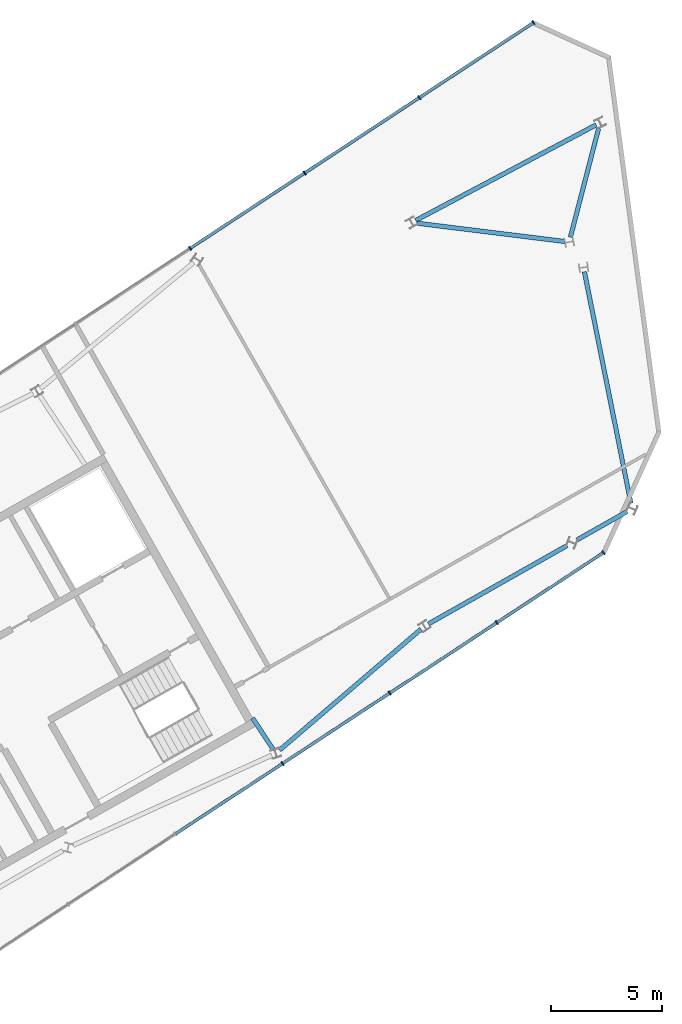
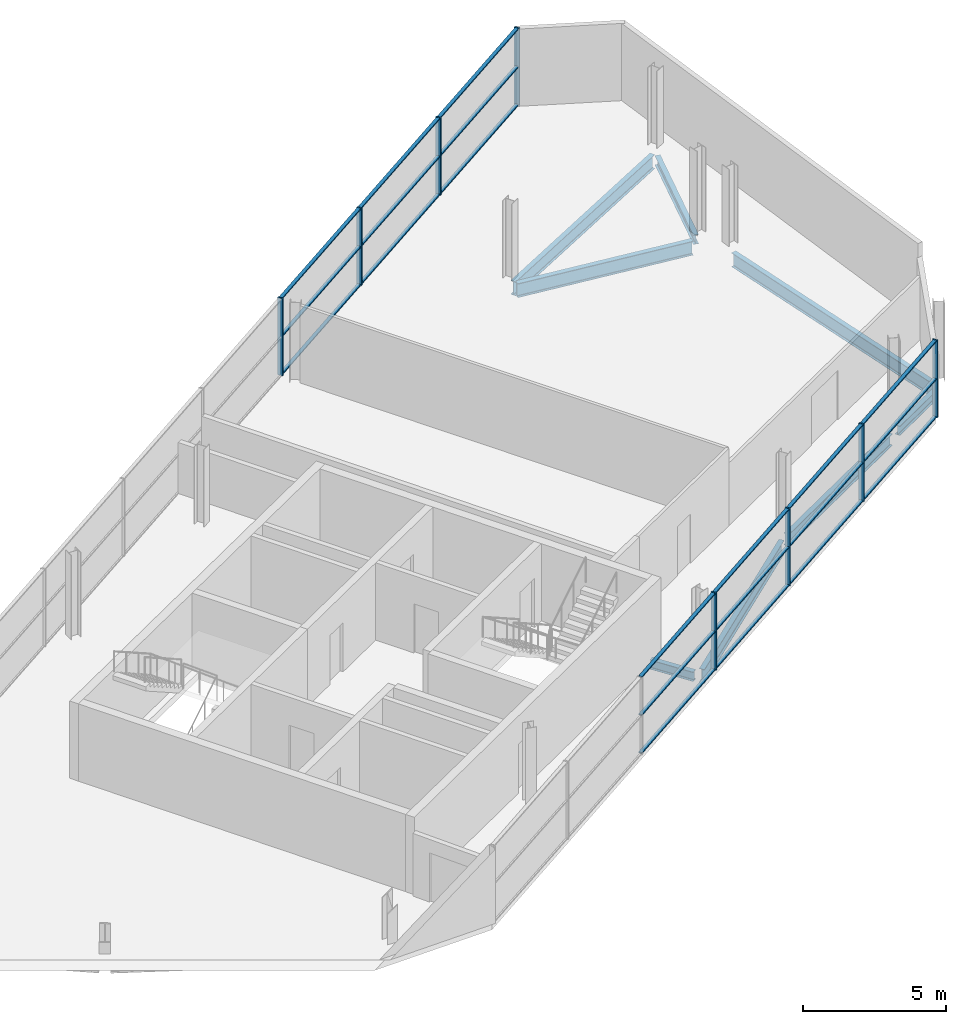
# One storey, part 5 of 8: 29 members, 8 beams, 2 elements without a shape of their own.
"""IFC4 building model written with IfcOpenShell, lengths in metres."""

from ifc_helpers import new_model, si_unit, direction, frame, origin, origin_2d, place, context, subcontext, project, spatial, rectangle, i_section, extrude, material, material_profile, profile_set, type_object, element, aggregate, save


model = new_model("IFC4")

# Units and contexts
model_context = context("Model", 3, precision=1e-05, world=origin(), true_north=direction((0.0, 1.0)))
body_context = subcontext(model_context, "Body", "Model", "MODEL_VIEW")
ifc_project = project(units=[si_unit("LENGTHUNIT", "METRE"), si_unit("AREAUNIT", "SQUARE_METRE"), si_unit("VOLUMEUNIT", "CUBIC_METRE"), si_unit("PLANEANGLEUNIT", "RADIAN"), si_unit("MASSUNIT", "GRAM", prefix="KILO")], contexts=[model_context])

# Site, building, storey
site_placement = place(None, origin())
site = spatial("IfcSite", under=ifc_project, at=site_placement, CompositionType="ELEMENT")
building_placement = place(site_placement, origin())
building = spatial("IfcBuilding", under=site, at=building_placement, Name="Binnacle Exchange Tower", CompositionType="ELEMENT")
storey_placement = place(building_placement, frame((0.0, 0.0, 357.699951171875)))
storey = spatial("IfcBuildingStorey", under=building, at=storey_placement, Name="L82", CompositionType="ELEMENT", Elevation=357.699951171875)

# Curtain wall, members
ifc_material_1 = material(Name="Bronze anodised aluminium frame", Category="aluminium")
curtain_wall_type = type_object("IfcCurtainWallType", Name="External wall - curtain wall crown tiers", PredefinedType="NOTDEFINED", material=ifc_material_1)
curtain_wall_1_placement = place(storey_placement, origin())
curtain_wall_1 = element("IfcCurtainWall", 1, at=curtain_wall_1_placement, inside=storey, type_object=curtain_wall_type, Name="External wall curtain wall CW5-C203 L82", PredefinedType="NOTDEFINED")
ifc_material_profile_1 = material_profile(ifc_material_1, rectangle(XDim=0.199951171875, YDim=0.06005859375, at=origin_2d()), Name="AL 60x200")
ifc_profile_set_1 = profile_set([ifc_material_profile_1], Name="Bronze anodised aluminium frame")
member_type_1 = type_object("IfcMemberType", Name="CW5 MULLION 60x200", PredefinedType="MULLION", material=ifc_profile_set_1)
member_1_placement = place(storey_placement, frame((-12.48828125, 69.443603515625, 0.0), z_axis=(0.0, 0.0, 1.0), x_axis=(0.549310297171, -0.835618452059, 0.0)))
member_1 = element("IfcMember", 2, at=member_1_placement, type_object=member_type_1, Name="CW5-C203 mullion 1", PredefinedType="MULLION", context=body_context, shape_type="SweptSolid", body=[
    extrude(rectangle(XDim=0.199951171875, YDim=0.06005859375, at=origin_2d()), origin(), (0.0, 0.0, 1.0), 3.300048828125),
])
member_2_placement = place(storey_placement, frame((-17.614501953125, 66.07373046875, 0.0), z_axis=(0.0, 0.0, 1.0), x_axis=(0.549310297171, -0.835618452059, 0.0)))
member_2 = element("IfcMember", 3, at=member_2_placement, type_object=member_type_1, Name="CW5-C203 mullion 2", PredefinedType="MULLION", context=body_context, shape_type="SweptSolid", body=[
    extrude(rectangle(XDim=0.199951171875, YDim=0.06005859375, at=origin_2d()), origin(), (0.0, 0.0, 1.0), 3.300048828125),
])
member_3_placement = place(storey_placement, frame((-22.765625, 62.6875, 0.0), z_axis=(0.0, 0.0, 1.0), x_axis=(0.549310297171, -0.835618452059, 0.0)))
member_3 = element("IfcMember", 4, at=member_3_placement, type_object=member_type_1, Name="CW5-C203 mullion 3", PredefinedType="MULLION", context=body_context, shape_type="SweptSolid", body=[
    extrude(rectangle(XDim=0.199951171875, YDim=0.06005859375, at=origin_2d()), origin(), (0.0, 0.0, 1.0), 3.300048828125),
])
member_4_placement = place(storey_placement, frame((-27.9169921875, 59.30126953125, 0.0), z_axis=(0.0, 0.0, 1.0), x_axis=(0.549310297171, -0.835618452059, 0.0)))
member_4 = element("IfcMember", 5, at=member_4_placement, type_object=member_type_1, Name="CW5-C203 mullion 4", PredefinedType="MULLION", context=body_context, shape_type="SweptSolid", body=[
    extrude(rectangle(XDim=0.199951171875, YDim=0.06005859375, at=origin_2d()), origin(), (0.0, 0.0, 1.0), 3.300048828125),
])

curtain_wall_2_placement = place(storey_placement, origin())
curtain_wall_2 = element("IfcCurtainWall", 6, at=curtain_wall_2_placement, inside=storey, type_object=curtain_wall_type, Name="External wall curtain wall CW5-C207 L82", PredefinedType="NOTDEFINED")
member_5_placement = place(storey_placement, frame((-23.7626953125, 36.14794921875, 0.0), z_axis=(0.0, 0.0, 1.0), x_axis=(-0.549310297171, 0.835618452059, 0.0)))
member_5 = element("IfcMember", 7, at=member_5_placement, type_object=member_type_1, Name="CW5-C207 mullion 4", PredefinedType="MULLION", context=body_context, shape_type="SweptSolid", body=[
    extrude(rectangle(XDim=0.199951171875, YDim=0.06005859375, at=origin_2d()), origin(), (0.0, 0.0, 1.0), 3.300048828125),
])
member_6_placement = place(storey_placement, frame((-18.94677734375, 39.313720703125, 0.0), z_axis=(0.0, 0.0, 1.0), x_axis=(-0.549310297171, 0.835618452059, 0.0)))
member_6 = element("IfcMember", 8, at=member_6_placement, type_object=member_type_1, Name="CW5-C207 mullion 5", PredefinedType="MULLION", context=body_context, shape_type="SweptSolid", body=[
    extrude(rectangle(XDim=0.199951171875, YDim=0.06005859375, at=origin_2d()), origin(), (0.0, 0.0, 1.0), 3.300048828125),
])
member_7_placement = place(storey_placement, frame((-14.130859375, 42.4794921875, 0.0), z_axis=(0.0, 0.0, 1.0), x_axis=(-0.549310297171, 0.835618452059, 0.0)))
member_7 = element("IfcMember", 9, at=member_7_placement, type_object=member_type_1, Name="CW5-C207 mullion 6", PredefinedType="MULLION", context=body_context, shape_type="SweptSolid", body=[
    extrude(rectangle(XDim=0.199951171875, YDim=0.06005859375, at=origin_2d()), origin(), (0.0, 0.0, 1.0), 3.300048828125),
])
member_8_placement = place(storey_placement, frame((-9.340087890625, 45.62890625, 0.0), z_axis=(0.0, 0.0, 1.0), x_axis=(-0.549310297171, 0.835618452059, 0.0)))
member_8 = element("IfcMember", 10, at=member_8_placement, type_object=member_type_1, Name="CW5-C207 mullion 7", PredefinedType="MULLION", context=body_context, shape_type="SweptSolid", body=[
    extrude(rectangle(XDim=0.199951171875, YDim=0.06005859375, at=origin_2d()), origin(), (0.0, 0.0, 1.0), 3.300048828125),
])

# Member
ifc_material_profile_2 = material_profile(ifc_material_1, rectangle(XDim=0.139892578125, YDim=0.050048828125, at=origin_2d()), Name="AL 140x50")
ifc_profile_set_2 = profile_set([ifc_material_profile_2], Name="Bronze anodised aluminium frame")
member_type_2 = type_object("IfcMemberType", Name="CW5 TRANSOM 50x140", PredefinedType="USERDEFINED", material=ifc_profile_set_2)
member_9_placement = place(storey_placement, frame((-12.51318359375, 69.42724609375, 0.025146484375), z_axis=(-0.835619041413, -0.549309400637, 0.0), x_axis=(0.549309400637, -0.835619041413, 0.0)))
member_9 = element("IfcMember", 11, at=member_9_placement, type_object=member_type_2, Name="CW5-C203 transom 1.1", ObjectType="TRANSOM", PredefinedType="USERDEFINED", context=body_context, shape_type="SweptSolid", body=[
    extrude(rectangle(XDim=0.139892578125, YDim=0.050048828125, at=origin_2d()), origin(), (0.0, 0.0, 1.0), 6.07470703125),
])

member_10_placement = place(storey_placement, frame((-12.51318359375, 69.42724609375, 1.650146484375), z_axis=(-0.835619041413, -0.549309400637, 0.0), x_axis=(0.549309400637, -0.835619041413, 0.0)))
member_10 = element("IfcMember", 12, at=member_10_placement, type_object=member_type_2, Name="CW5-C203 transom 1.2", ObjectType="TRANSOM", PredefinedType="USERDEFINED", context=body_context, shape_type="SweptSolid", body=[
    extrude(rectangle(XDim=0.139892578125, YDim=0.050048828125, at=origin_2d()), origin(), (0.0, 0.0, 1.0), 6.07470703125),
])

member_11_placement = place(storey_placement, frame((-12.51318359375, 69.42724609375, 3.275146484375), z_axis=(-0.835619041413, -0.549309400637, 0.0), x_axis=(0.549309400637, -0.835619041413, 0.0)))
member_11 = element("IfcMember", 13, at=member_11_placement, type_object=member_type_2, Name="CW5-C203 transom 1.3", ObjectType="TRANSOM", PredefinedType="USERDEFINED", context=body_context, shape_type="SweptSolid", body=[
    extrude(rectangle(XDim=0.139892578125, YDim=0.050048828125, at=origin_2d()), origin(), (0.0, 0.0, 1.0), 6.07470703125),
])

member_12_placement = place(storey_placement, frame((-17.639404296875, 66.057373046875, 0.025146484375), z_axis=(-0.835619987891, -0.549307960835, 0.0), x_axis=(0.549307960835, -0.835619987891, 0.0)))
member_12 = element("IfcMember", 14, at=member_12_placement, type_object=member_type_2, Name="CW5-C203 transom 2.1", ObjectType="TRANSOM", PredefinedType="USERDEFINED", context=body_context, shape_type="SweptSolid", body=[
    extrude(rectangle(XDim=0.139892578125, YDim=0.050048828125, at=origin_2d()), origin(), (0.0, 0.0, 1.0), 6.1044921875),
])

member_13_placement = place(storey_placement, frame((-17.639404296875, 66.057373046875, 1.650146484375), z_axis=(-0.835619987891, -0.549307960835, 0.0), x_axis=(0.549307960835, -0.835619987891, 0.0)))
member_13 = element("IfcMember", 15, at=member_13_placement, type_object=member_type_2, Name="CW5-C203 transom 2.2", ObjectType="TRANSOM", PredefinedType="USERDEFINED", context=body_context, shape_type="SweptSolid", body=[
    extrude(rectangle(XDim=0.139892578125, YDim=0.050048828125, at=origin_2d()), origin(), (0.0, 0.0, 1.0), 6.1044921875),
])

member_14_placement = place(storey_placement, frame((-17.639404296875, 66.057373046875, 3.275146484375), z_axis=(-0.835619987891, -0.549307960835, 0.0), x_axis=(0.549307960835, -0.835619987891, 0.0)))
member_14 = element("IfcMember", 16, at=member_14_placement, type_object=member_type_2, Name="CW5-C203 transom 2.3", ObjectType="TRANSOM", PredefinedType="USERDEFINED", context=body_context, shape_type="SweptSolid", body=[
    extrude(rectangle(XDim=0.139892578125, YDim=0.050048828125, at=origin_2d()), origin(), (0.0, 0.0, 1.0), 6.1044921875),
])

member_15_placement = place(storey_placement, frame((-22.790771484375, 62.671142578125, 0.025146484375), z_axis=(-0.835619987891, -0.549307960835, 0.0), x_axis=(0.549307960835, -0.835619987891, 0.0)))
member_15 = element("IfcMember", 17, at=member_15_placement, type_object=member_type_2, Name="CW5-C203 transom 3.1", ObjectType="TRANSOM", PredefinedType="USERDEFINED", context=body_context, shape_type="SweptSolid", body=[
    extrude(rectangle(XDim=0.139892578125, YDim=0.050048828125, at=origin_2d()), origin(), (0.0, 0.0, 1.0), 6.1044921875),
])

member_16_placement = place(storey_placement, frame((-22.790771484375, 62.671142578125, 1.650146484375), z_axis=(-0.835619987891, -0.549307960835, 0.0), x_axis=(0.549307960835, -0.835619987891, 0.0)))
member_16 = element("IfcMember", 18, at=member_16_placement, type_object=member_type_2, Name="CW5-C203 transom 3.2", ObjectType="TRANSOM", PredefinedType="USERDEFINED", context=body_context, shape_type="SweptSolid", body=[
    extrude(rectangle(XDim=0.139892578125, YDim=0.050048828125, at=origin_2d()), origin(), (0.0, 0.0, 1.0), 6.1044921875),
])

member_17_placement = place(storey_placement, frame((-22.790771484375, 62.671142578125, 3.275146484375), z_axis=(-0.835619987891, -0.549307960835, 0.0), x_axis=(0.549307960835, -0.835619987891, 0.0)))
member_17 = element("IfcMember", 19, at=member_17_placement, type_object=member_type_2, Name="CW5-C203 transom 3.3", ObjectType="TRANSOM", PredefinedType="USERDEFINED", context=body_context, shape_type="SweptSolid", body=[
    extrude(rectangle(XDim=0.139892578125, YDim=0.050048828125, at=origin_2d()), origin(), (0.0, 0.0, 1.0), 6.1044921875),
])

aggregate(curtain_wall_1, [member_1, member_2, member_3, member_4, member_9, member_10, member_11, member_12, member_13, member_14, member_15, member_16, member_17])

member_18_placement = place(storey_placement, frame((-28.553466796875, 32.99853515625, 0.025146484375), z_axis=(0.835628570854, 0.549294904011, 0.0), x_axis=(-0.549294904011, 0.835628570854, 0.0)))
member_18 = element("IfcMember", 20, at=member_18_placement, type_object=member_type_2, Name="CW5-C207 transom 3.1", ObjectType="TRANSOM", PredefinedType="USERDEFINED", context=body_context, shape_type="SweptSolid", body=[
    extrude(rectangle(XDim=0.139892578125, YDim=0.050048828125, at=origin_2d()), origin(), (0.0, 0.0, 1.0), 5.703369140625),
])

member_19_placement = place(storey_placement, frame((-28.553466796875, 32.99853515625, 1.650146484375), z_axis=(0.835628570854, 0.549294904011, 0.0), x_axis=(-0.549294904011, 0.835628570854, 0.0)))
member_19 = element("IfcMember", 21, at=member_19_placement, type_object=member_type_2, Name="CW5-C207 transom 3.2", ObjectType="TRANSOM", PredefinedType="USERDEFINED", context=body_context, shape_type="SweptSolid", body=[
    extrude(rectangle(XDim=0.139892578125, YDim=0.050048828125, at=origin_2d()), origin(), (0.0, 0.0, 1.0), 5.703369140625),
])

member_20_placement = place(storey_placement, frame((-28.553466796875, 32.99853515625, 3.275146484375), z_axis=(0.835628570854, 0.549294904011, 0.0), x_axis=(-0.549294904011, 0.835628570854, 0.0)))
member_20 = element("IfcMember", 22, at=member_20_placement, type_object=member_type_2, Name="CW5-C207 transom 3.3", ObjectType="TRANSOM", PredefinedType="USERDEFINED", context=body_context, shape_type="SweptSolid", body=[
    extrude(rectangle(XDim=0.139892578125, YDim=0.050048828125, at=origin_2d()), origin(), (0.0, 0.0, 1.0), 5.703369140625),
])

member_21_placement = place(storey_placement, frame((-23.737548828125, 36.164306640625, 0.025146484375), z_axis=(0.835628570854, 0.549294904011, 0.0), x_axis=(-0.549294904011, 0.835628570854, 0.0)))
member_21 = element("IfcMember", 23, at=member_21_placement, type_object=member_type_2, Name="CW5-C207 transom 4.1", ObjectType="TRANSOM", PredefinedType="USERDEFINED", context=body_context, shape_type="SweptSolid", body=[
    extrude(rectangle(XDim=0.139892578125, YDim=0.050048828125, at=origin_2d()), origin(), (0.0, 0.0, 1.0), 5.703369140625),
])

member_22_placement = place(storey_placement, frame((-23.737548828125, 36.164306640625, 1.650146484375), z_axis=(0.835628570854, 0.549294904011, 0.0), x_axis=(-0.549294904011, 0.835628570854, 0.0)))
member_22 = element("IfcMember", 24, at=member_22_placement, type_object=member_type_2, Name="CW5-C207 transom 4.2", ObjectType="TRANSOM", PredefinedType="USERDEFINED", context=body_context, shape_type="SweptSolid", body=[
    extrude(rectangle(XDim=0.139892578125, YDim=0.050048828125, at=origin_2d()), origin(), (0.0, 0.0, 1.0), 5.703369140625),
])

member_23_placement = place(storey_placement, frame((-23.737548828125, 36.164306640625, 3.275146484375), z_axis=(0.835628570854, 0.549294904011, 0.0), x_axis=(-0.549294904011, 0.835628570854, 0.0)))
member_23 = element("IfcMember", 25, at=member_23_placement, type_object=member_type_2, Name="CW5-C207 transom 4.3", ObjectType="TRANSOM", PredefinedType="USERDEFINED", context=body_context, shape_type="SweptSolid", body=[
    extrude(rectangle(XDim=0.139892578125, YDim=0.050048828125, at=origin_2d()), origin(), (0.0, 0.0, 1.0), 5.703369140625),
])

member_24_placement = place(storey_placement, frame((-18.921630859375, 39.330078125, 0.025146484375), z_axis=(0.835608922251, 0.549324793773, 0.0), x_axis=(-0.549324793773, 0.835608922251, 0.0)))
member_24 = element("IfcMember", 26, at=member_24_placement, type_object=member_type_2, Name="CW5-C207 transom 5.1", ObjectType="TRANSOM", PredefinedType="USERDEFINED", context=body_context, shape_type="SweptSolid", body=[
    extrude(rectangle(XDim=0.139892578125, YDim=0.050048828125, at=origin_2d()), origin(), (0.0, 0.0, 1.0), 5.703369140625),
])

member_25_placement = place(storey_placement, frame((-18.921630859375, 39.330078125, 1.650146484375), z_axis=(0.835608922251, 0.549324793773, 0.0), x_axis=(-0.549324793773, 0.835608922251, 0.0)))
member_25 = element("IfcMember", 27, at=member_25_placement, type_object=member_type_2, Name="CW5-C207 transom 5.2", ObjectType="TRANSOM", PredefinedType="USERDEFINED", context=body_context, shape_type="SweptSolid", body=[
    extrude(rectangle(XDim=0.139892578125, YDim=0.050048828125, at=origin_2d()), origin(), (0.0, 0.0, 1.0), 5.703369140625),
])

member_26_placement = place(storey_placement, frame((-18.921630859375, 39.330078125, 3.275146484375), z_axis=(0.835608922251, 0.549324793773, 0.0), x_axis=(-0.549324793773, 0.835608922251, 0.0)))
member_26 = element("IfcMember", 28, at=member_26_placement, type_object=member_type_2, Name="CW5-C207 transom 5.3", ObjectType="TRANSOM", PredefinedType="USERDEFINED", context=body_context, shape_type="SweptSolid", body=[
    extrude(rectangle(XDim=0.139892578125, YDim=0.050048828125, at=origin_2d()), origin(), (0.0, 0.0, 1.0), 5.703369140625),
])

member_27_placement = place(storey_placement, frame((-14.105712890625, 42.49609375, 0.025146484375), z_axis=(0.835634370898, 0.549286080448, 0.0), x_axis=(-0.549286080448, 0.835634370898, 0.0)))
member_27 = element("IfcMember", 29, at=member_27_placement, type_object=member_type_2, Name="CW5-C207 transom 6.1", ObjectType="TRANSOM", PredefinedType="USERDEFINED", context=body_context, shape_type="SweptSolid", body=[
    extrude(rectangle(XDim=0.139892578125, YDim=0.050048828125, at=origin_2d()), origin(), (0.0, 0.0, 1.0), 5.673095703125),
])

member_28_placement = place(storey_placement, frame((-14.105712890625, 42.49609375, 1.650146484375), z_axis=(0.835634370898, 0.549286080448, 0.0), x_axis=(-0.549286080448, 0.835634370898, 0.0)))
member_28 = element("IfcMember", 30, at=member_28_placement, type_object=member_type_2, Name="CW5-C207 transom 6.2", ObjectType="TRANSOM", PredefinedType="USERDEFINED", context=body_context, shape_type="SweptSolid", body=[
    extrude(rectangle(XDim=0.139892578125, YDim=0.050048828125, at=origin_2d()), origin(), (0.0, 0.0, 1.0), 5.673095703125),
])

member_29_placement = place(storey_placement, frame((-14.105712890625, 42.49609375, 3.275146484375), z_axis=(0.835634370898, 0.549286080448, 0.0), x_axis=(-0.549286080448, 0.835634370898, 0.0)))
member_29 = element("IfcMember", 31, at=member_29_placement, type_object=member_type_2, Name="CW5-C207 transom 6.3", ObjectType="TRANSOM", PredefinedType="USERDEFINED", context=body_context, shape_type="SweptSolid", body=[
    extrude(rectangle(XDim=0.139892578125, YDim=0.050048828125, at=origin_2d()), origin(), (0.0, 0.0, 1.0), 5.673095703125),
])

aggregate(curtain_wall_2, [member_5, member_6, member_7, member_8, member_18, member_19, member_20, member_21, member_22, member_23, member_24, member_25, member_26, member_27, member_28, member_29])

# Beams
ifc_material_2 = material(Name="Steel S355 (SHN355)", Category="steel")
ifc_material_profile_3 = material_profile(ifc_material_2, i_section(OverallWidth=0.199951171875, OverallDepth=0.39990234375, WebThickness=0.008056640625, FlangeThickness=0.012939453125, FilletRadius=0.01611328125, at=origin_2d()), Name="H 400x200x8x13")
ifc_profile_set_3 = profile_set([ifc_material_profile_3], Name="Steel S355 (SHN355)")
beam_type_1 = type_object("IfcBeamType", Name="Edge girder H 400x200x8x13 Steel S355 (SHN355)", PredefinedType="SPANDREL", material=ifc_profile_set_3)
beam_1_placement = place(storey_placement, frame((-10.826416015625, 59.80224609375, -0.5), z_axis=(0.250999061512, 0.967987330041, 0.0), x_axis=(-0.967987330041, 0.250999061512, 0.0)))
element("IfcBeam", 32, at=beam_1_placement, inside=storey, type_object=beam_type_1, Name="S:BM:edge:L82:014", PredefinedType="SPANDREL", context=body_context, shape_type="SweptSolid", body=[
    extrude(i_section(OverallWidth=0.199951171875, OverallDepth=0.39990234375, WebThickness=0.008056640625, FlangeThickness=0.012939453125, FilletRadius=0.01611328125, at=origin_2d()), origin(), (0.0, 0.0, 1.0), 5.051025390625),
])
beam_2_placement = place(storey_placement, frame((-10.53662109375, 46.197021484375, -0.5), z_axis=(0.870349468157, 0.49243456751, 0.0), x_axis=(-0.49243456751, 0.870349468157, 0.0)))
element("IfcBeam", 33, at=beam_2_placement, inside=storey, type_object=beam_type_1, Name="S:BM:edge:L82:015", PredefinedType="SPANDREL", context=body_context, shape_type="SweptSolid", body=[
    extrude(i_section(OverallWidth=0.199951171875, OverallDepth=0.39990234375, WebThickness=0.008056640625, FlangeThickness=0.012939453125, FilletRadius=0.01611328125, at=origin_2d()), origin(), (0.0, 0.0, 1.0), 2.600830078125),
])
ifc_material_profile_4 = material_profile(ifc_material_2, i_section(OverallWidth=0.200927734375, OverallDepth=0.506103515625, WebThickness=0.010986328125, FlangeThickness=0.01904296875, FilletRadius=0.02001953125, at=origin_2d()), Name="H 506x201x11x19")
ifc_profile_set_4 = profile_set([ifc_material_profile_4], Name="Steel S355 (SHN355)")
beam_type_2 = type_object("IfcBeamType", Name="Edge girder H 506x201x11x19 Steel S355 (SHN355)", PredefinedType="SPANDREL", material=ifc_profile_set_4)
beam_3_placement = place(storey_placement, frame((-17.20751953125, 42.422607421875, -0.552978515625), z_axis=(0.87034465486, 0.492443074636, 0.0), x_axis=(-0.492443074636, 0.87034465486, 0.0)))
element("IfcBeam", 34, at=beam_3_placement, inside=storey, type_object=beam_type_2, Name="S:BM:edge:L82:013", PredefinedType="SPANDREL", context=body_context, shape_type="SweptSolid", body=[
    extrude(i_section(OverallWidth=0.200927734375, OverallDepth=0.506103515625, WebThickness=0.010986328125, FlangeThickness=0.01904296875, FilletRadius=0.02001953125, at=origin_2d()), origin(), (0.0, 0.0, 1.0), 7.151123046875),
])
ifc_material_profile_5 = material_profile(ifc_material_2, i_section(OverallWidth=0.199951171875, OverallDepth=0.60009765625, WebThickness=0.010986328125, FlangeThickness=0.01708984375, FilletRadius=0.02197265625, at=origin_2d()), Name="H 600x200x11x17")
ifc_profile_set_5 = profile_set([ifc_material_profile_5], Name="Steel S355 (SHN355)")
beam_type_3 = type_object("IfcBeamType", Name="Edge girder H 600x200x11x17 Steel S355 (SHN355)", PredefinedType="SPANDREL", material=ifc_profile_set_5)
beam_4_placement = place(storey_placement, frame((-23.89990234375, 36.748291015625, -0.599853515625), z_axis=(0.759873524236, 0.650070940102, 0.0), x_axis=(-0.650070940102, 0.759873524236, 0.0)))
element("IfcBeam", 35, at=beam_4_placement, inside=storey, type_object=beam_type_3, Name="S:BM:edge:L82:012", PredefinedType="SPANDREL", context=body_context, shape_type="SweptSolid", body=[
    extrude(i_section(OverallWidth=0.199951171875, OverallDepth=0.60009765625, WebThickness=0.010986328125, FlangeThickness=0.01708984375, FilletRadius=0.02197265625, at=origin_2d()), origin(), (0.0, 0.0, 1.0), 8.375732421875),
])
beam_5_placement = place(storey_placement, frame((-8.1064453125, 47.84130859375, -0.599853515625), z_axis=(-0.19693871547, 0.980415800744, 0.0), x_axis=(-0.980415800744, -0.19693871547, 0.0)))
element("IfcBeam", 36, at=beam_5_placement, inside=storey, type_object=beam_type_3, Name="S:BM:edge:L82:016", PredefinedType="SPANDREL", context=body_context, shape_type="SweptSolid", body=[
    extrude(i_section(OverallWidth=0.199951171875, OverallDepth=0.60009765625, WebThickness=0.010986328125, FlangeThickness=0.01708984375, FilletRadius=0.02197265625, at=origin_2d()), origin(), (0.0, 0.0, 1.0), 10.615478515625),
])
ifc_material_profile_6 = material_profile(ifc_material_2, i_section(OverallWidth=0.199951171875, OverallDepth=0.39990234375, WebThickness=0.008056640625, FlangeThickness=0.012939453125, FilletRadius=0.01611328125, at=origin_2d()), Name="H 400x200x8x13")
ifc_profile_set_6 = profile_set([ifc_material_profile_6], Name="Steel S355 (SHN355)")
beam_type_4 = type_object("IfcBeamType", Name="Floor beam H 400x200x8x13 Steel S355 (SHN355)", PredefinedType="BEAM", material=ifc_profile_set_6)
beam_6_placement = place(storey_placement, frame((-24.1787109375, 36.781005859375, -0.5), z_axis=(-0.54931274245, 0.835616844602, 0.0), x_axis=(-0.835616844602, -0.54931274245, 0.0)))
element("IfcBeam", 37, at=beam_6_placement, inside=storey, type_object=beam_type_4, Name="S:BM:cross:L82:021", PredefinedType="BEAM", context=body_context, shape_type="SweptSolid", body=[
    extrude(i_section(OverallWidth=0.199951171875, OverallDepth=0.39990234375, WebThickness=0.008056640625, FlangeThickness=0.012939453125, FilletRadius=0.01611328125, at=origin_2d()), origin(), (0.0, 0.0, 1.0), 1.69775390625),
])
ifc_material_profile_7 = material_profile(ifc_material_2, i_section(OverallWidth=0.199951171875, OverallDepth=0.60009765625, WebThickness=0.010986328125, FlangeThickness=0.01708984375, FilletRadius=0.02197265625, at=origin_2d()), Name="H 600x200x11x17")
ifc_profile_set_7 = profile_set([ifc_material_profile_7], Name="Steel S355 (SHN355)")
beam_type_5 = type_object("IfcBeamType", Name="Spine girder H 600x200x11x17 Steel S355 (SHN355)", PredefinedType="BEAM", material=ifc_profile_set_7)
beam_7_placement = place(storey_placement, frame((-17.7802734375, 60.555419921875, -0.599853515625), z_axis=(0.883619006296, 0.468206633562, 0.0), x_axis=(-0.468206633562, 0.883619006296, 0.0)))
element("IfcBeam", 38, at=beam_7_placement, inside=storey, type_object=beam_type_5, Name="S:BM:spine:L82:002", PredefinedType="BEAM", context=body_context, shape_type="SweptSolid", body=[
    extrude(i_section(OverallWidth=0.199951171875, OverallDepth=0.60009765625, WebThickness=0.010986328125, FlangeThickness=0.01708984375, FilletRadius=0.02197265625, at=origin_2d()), origin(), (0.0, 0.0, 1.0), 9.179443359375),
])
beam_8_placement = place(storey_placement, frame((-17.7099609375, 60.43115234375, -0.599853515625), z_axis=(0.992442022027, -0.122714436454, 0.0), x_axis=(0.122714436454, 0.992442022027, 0.0)))
element("IfcBeam", 39, at=beam_8_placement, inside=storey, type_object=beam_type_5, Name="S:BM:spine:L82:003", PredefinedType="BEAM", context=body_context, shape_type="SweptSolid", body=[
    extrude(i_section(OverallWidth=0.199951171875, OverallDepth=0.60009765625, WebThickness=0.010986328125, FlangeThickness=0.01708984375, FilletRadius=0.02197265625, at=origin_2d()), origin(), (0.0, 0.0, 1.0), 6.668701171875),
])

save(model, "model.ifc")
